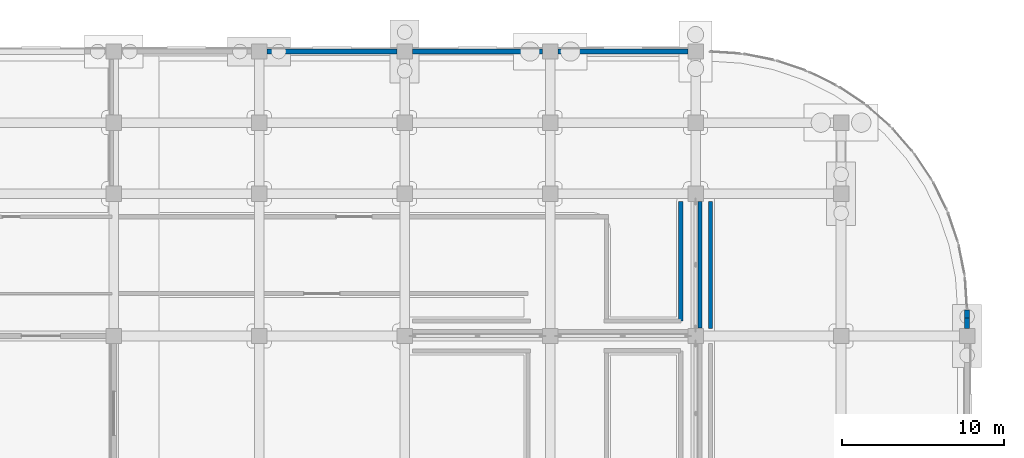
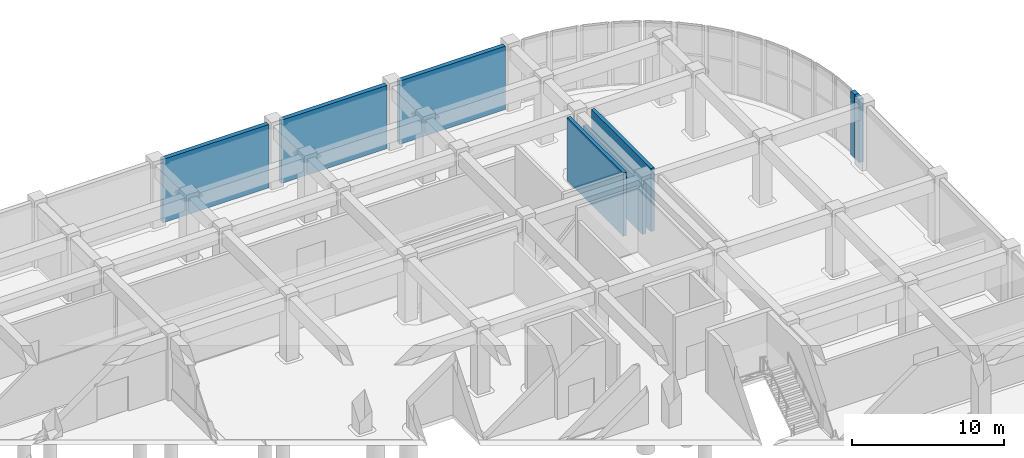
# One storey, part 40 of 74: 8 walls.
"""IFC4 building model written with IfcOpenShell, lengths in metres."""

from ifc_helpers import new_model, si_unit, direction, frame, frame_2d, origin, place, context, subcontext, project, spatial, rectangle, extrude, material, layer, layer_set, type_object, element, save


model = new_model("IFC4")

# Units and contexts
model_context = context("Model", 3, precision=1e-05, world=origin(), true_north=direction((0.0, 1.0)))
body_context = subcontext(model_context, "Body", "Model", "MODEL_VIEW")
ifc_project = project(units=[si_unit("LENGTHUNIT", "METRE"), si_unit("AREAUNIT", "SQUARE_METRE"), si_unit("VOLUMEUNIT", "CUBIC_METRE"), si_unit("PLANEANGLEUNIT", "RADIAN"), si_unit("MASSUNIT", "GRAM", prefix="KILO")], contexts=[model_context])

# Site, building, storey
site_placement = place(None, origin())
site = spatial("IfcSite", under=ifc_project, at=site_placement, CompositionType="ELEMENT")
building_placement = place(site_placement, origin())
building = spatial("IfcBuilding", under=site, at=building_placement, Name="Cendralis Terraced Arcade", CompositionType="ELEMENT")
storey_placement = place(building_placement, origin())
storey = spatial("IfcBuildingStorey", under=building, at=storey_placement, Name="L00", CompositionType="ELEMENT", Elevation=0.0)

# Walls
ifc_material_1 = material(Name="Precast concrete f'c 40 MPa", Category="concrete")
ifc_layer_1 = layer(ifc_material_1, 0.320068359375, Name="WL-EXT-GRC-320")
ifc_layer_set_1 = layer_set([ifc_layer_1], Name="Precast concrete f'c 40 MPa")
wall_type_1 = type_object("IfcWallType", Name="WL-EXT-GRC-320", PredefinedType="SOLIDWALL", material=ifc_layer_set_1)
for number, where, z_axis, x_axis, name in (
    (1, (130.673095703125, 116.0, 0.0), (0.0, 0.0, 1.0), (1.0, 0.0, 0.0), "Exterior Architectural Wall EW-L00-0044"),
    (2, (139.673095703125, 116.0, 0.0), (0.0, 0.0, 1.0), (1.0, 0.0, 0.0), "Exterior Architectural Wall EW-L00-0045"),
    (3, (148.673095703125, 116.0, 0.0), (0.0, 0.0, 1.0), (1.0, 0.0, 0.0), "Exterior Architectural Wall EW-L00-0046"),
):
    element("IfcWall", number, at=place(storey_placement, frame(where, z_axis=z_axis, x_axis=x_axis)), inside=storey, type_object=wall_type_1, Name=name, PredefinedType="SOLIDWALL", context=body_context, shape_type="SweptSolid", body=[
        extrude(rectangle(XDim=8.053955078125, YDim=0.320068359375, at=frame_2d((4.02685546875, 0.0))), origin(), (0.0, 0.0, 1.0), 5.090087890625),
    ])
wall_1_placement = place(storey_placement, frame((174.0, 100.0, 0.0), z_axis=(0.0, 0.0, 1.0), x_axis=(0.0, -1.0, 0.0)))
element("IfcWall", 4, at=wall_1_placement, inside=storey, type_object=wall_type_1, Name="Exterior Architectural Wall EW-L00-0047", PredefinedType="SOLIDWALL", context=body_context, shape_type="SweptSolid", body=[
    extrude(rectangle(XDim=0.5, YDim=0.320068359375, at=frame_2d((0.25, 0.0))), origin(), (0.0, 0.0, 1.0), 5.090087890625),
])
wall_2_placement = place(storey_placement, frame((174.0, 99.5, 0.0), z_axis=(0.0, 0.0, 1.0), x_axis=(0.0, -1.0, 0.0)))
element("IfcWall", 5, at=wall_2_placement, inside=storey, type_object=wall_type_1, Name="Exterior Architectural Wall EW-L00-0048", PredefinedType="SOLIDWALL", context=body_context, shape_type="SweptSolid", body=[
    extrude(rectangle(XDim=0.626953125, YDim=0.320068359375, at=frame_2d((0.3134765625, 0.0))), origin(), (0.0, 0.0, 1.0), 5.090087890625),
])
ifc_material_2 = material(Name="Autoclaved aerated concrete blockwork", Category="masonry")
ifc_layer_2 = layer(ifc_material_2, 0.260009765625, Name="WL-FIRE-260")
ifc_layer_set_2 = layer_set([ifc_layer_2], Name="Autoclaved aerated concrete blockwork")
wall_type_2 = type_object("IfcWallType", Name="WL-FIRE-260", PredefinedType="PARTITIONING", material=ifc_layer_set_2)
wall_3_placement = place(storey_placement, frame((157.47998046875, 98.8798828125, 0.0), z_axis=(0.0, 0.0, 1.0), x_axis=(0.0, 1.0, 0.0)))
element("IfcWall", 6, at=wall_3_placement, inside=storey, type_object=wall_type_2, Name="Braced Bay Fire Enclosure Wall IW-BRC-L00-04", PredefinedType="PARTITIONING", context=body_context, shape_type="SweptSolid", body=[
    extrude(rectangle(XDim=7.840087890625, YDim=0.260009765625, at=frame_2d((3.919921875, 0.0))), origin(), (0.0, 0.0, 1.0), 4.030029296875),
])
wall_4_placement = place(storey_placement, frame((158.1201171875, 98.875, 0.0), z_axis=(0.0, 0.0, 1.0), x_axis=(0.0, 1.0, 0.0)))
element("IfcWall", 7, at=wall_4_placement, inside=storey, type_object=wall_type_2, Name="Interior Partition Wall IW-L00-0308", PredefinedType="PARTITIONING", context=body_context, shape_type="SweptSolid", body=[
    extrude(rectangle(XDim=7.85009765625, YDim=0.260009765625, at=frame_2d((3.925048828125, 0.0))), origin(), (0.0, 0.0, 1.0), 5.090087890625),
])
wall_5_placement = place(storey_placement, frame((156.280029296875, 106.72509765625, 0.0), z_axis=(0.0, 0.0, 1.0), x_axis=(0.0, -1.0, 0.0)))
element("IfcWall", 8, at=wall_5_placement, inside=storey, type_object=wall_type_2, Name="Interior Partition Wall IW-L00-0309", PredefinedType="PARTITIONING", context=body_context, shape_type="SweptSolid", body=[
    extrude(rectangle(XDim=7.405029296875, YDim=0.260009765625, at=frame_2d((3.70263671875, 0.0))), origin(), (0.0, 0.0, 1.0), 5.090087890625),
])

save(model, "model.ifc")
